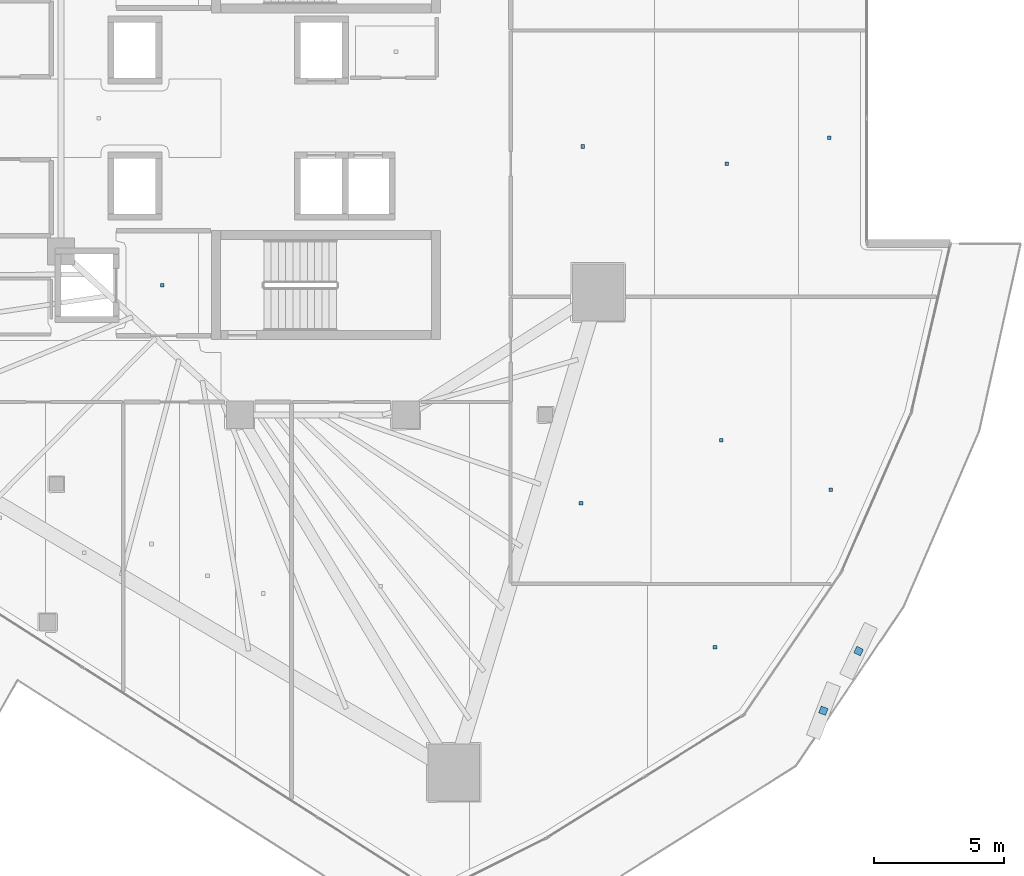
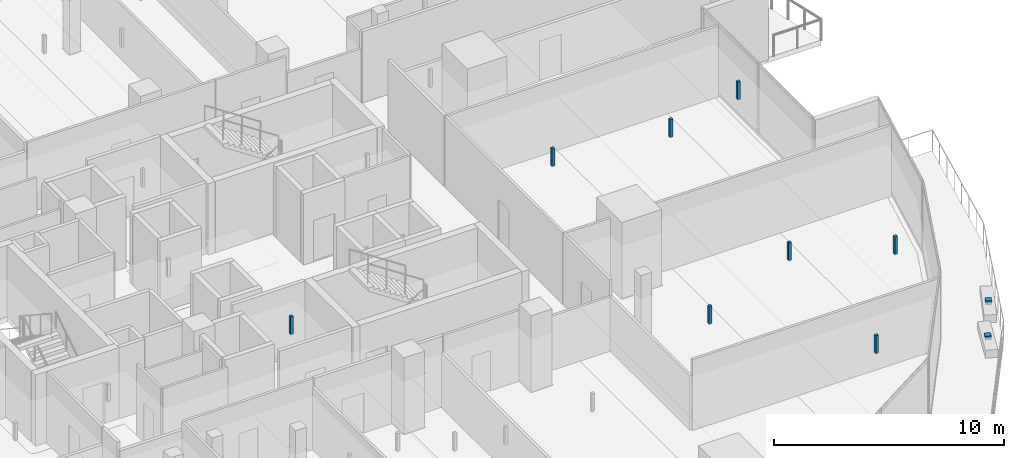
# One storey, part 29 of 39: 10 discrete accessories.
"""IFC4 building model written with IfcOpenShell, lengths in metres."""

from ifc_helpers import new_model, si_unit, direction, frame, origin, origin_2d, place, context, subcontext, project, spatial, rectangle, extrude, material, type_object, element, save


model = new_model("IFC4")

# Units and contexts
model_context = context("Model", 3, precision=1e-05, world=origin(), true_north=direction((0.0, 1.0)))
body_context = subcontext(model_context, "Body", "Model", "MODEL_VIEW")
ifc_project = project(units=[si_unit("LENGTHUNIT", "METRE"), si_unit("AREAUNIT", "SQUARE_METRE"), si_unit("VOLUMEUNIT", "CUBIC_METRE"), si_unit("PLANEANGLEUNIT", "RADIAN"), si_unit("MASSUNIT", "GRAM", prefix="KILO")], contexts=[model_context])

# Site, building, storey
site_placement = place(None, origin())
site = spatial("IfcSite", under=ifc_project, at=site_placement, CompositionType="ELEMENT")
building_placement = place(site_placement, origin())
building = spatial("IfcBuilding", under=site, at=building_placement, Name="Qorvath Tower", CompositionType="ELEMENT")
storey_placement = place(building_placement, frame((0.0, 0.0, 142.199951171875)))
storey = spatial("IfcBuildingStorey", under=building, at=storey_placement, Name="L32", CompositionType="ELEMENT", Elevation=142.199951171875)

# Discrete accessories
ifc_material = material(Name="Galvanised steel bracket", Category="steel")
discrete_accessory_type = type_object("IfcDiscreteAccessoryType", Name="DA-BRACKET", PredefinedType="BRACKET", material=ifc_material)
for number, where, z_axis, x_axis, name in (
    (1, (-1.078369140625, -22.869384765625, 3.64013671875), (0.0, 0.0, 1.0), (0.359915391195, 0.932984946921, 0.0), "Louvre Wave Support Bracket L32-03"),
    (2, (0.2802734375, -20.568115234375, 3.64013671875), (0.0, 0.0, 1.0), (0.433850941237, 0.900984661794, 0.0), "Louvre Wave Support Bracket L32-04"),
):
    element("IfcDiscreteAccessory", number, at=place(storey_placement, frame(where, z_axis=z_axis, x_axis=x_axis)), inside=storey, type_object=discrete_accessory_type, Name=name, PredefinedType="NOTDEFINED", context=body_context, shape_type="SweptSolid", body=[
        extrude(rectangle(XDim=0.280029296875, YDim=0.280029296875, at=origin_2d()), origin(), (0.0, 0.0, 1.0), 0.199951171875),
    ])
for number, where, z_axis, x_axis, name in (
    (3, (-26.590087890625, -6.449951171875, 2.85986328125), (0.0, 0.0, 1.0), (1.0, 0.0, 0.0), "Acoustic Ceiling Suspension Hanger T1-L32-002"),
    (4, (-5.26318359375, -20.42724609375, 2.85986328125), (0.0, 0.0, 1.0), (1.0, 0.0, 0.0), "Acoustic Ceiling Suspension Hanger T1-L32-028"),
    (5, (-10.432861328125, -14.869873046875, 2.85986328125), (0.0, 0.0, 1.0), (1.0, 0.0, 0.0), "Acoustic Ceiling Suspension Hanger T1-L32-029"),
    (6, (-5.024658203125, -12.431884765625, 2.85986328125), (0.0, 0.0, 1.0), (1.0, 0.0, 0.0), "Acoustic Ceiling Suspension Hanger T1-L32-030"),
    (7, (-0.792724609375, -14.335205078125, 2.85986328125), (0.0, 0.0, 1.0), (1.0, 0.0, 0.0), "Acoustic Ceiling Suspension Hanger T1-L32-031"),
    (8, (-10.363037109375, -1.091796875, 2.85986328125), (0.0, 0.0, 1.0), (1.0, 0.0, 0.0), "Acoustic Ceiling Suspension Hanger T1-L32-032"),
    (9, (-4.815185546875, -1.7529296875, 2.85986328125), (0.0, 0.0, 1.0), (1.0, 0.0, 0.0), "Acoustic Ceiling Suspension Hanger T1-L32-033"),
    (10, (-0.84619140625, -0.754638671875, 2.85986328125), (0.0, 0.0, 1.0), (1.0, 0.0, 0.0), "Acoustic Ceiling Suspension Hanger T1-L32-034"),
):
    element("IfcDiscreteAccessory", number, at=place(storey_placement, frame(where, z_axis=z_axis, x_axis=x_axis)), inside=storey, type_object=discrete_accessory_type, Name=name, PredefinedType="NOTDEFINED", context=body_context, shape_type="SweptSolid", body=[
        extrude(rectangle(XDim=0.139892578125, YDim=0.139892578125, at=origin_2d()), origin(), (0.0, 0.0, 1.0), 0.949951171875),
    ])

save(model, "model.ifc")
